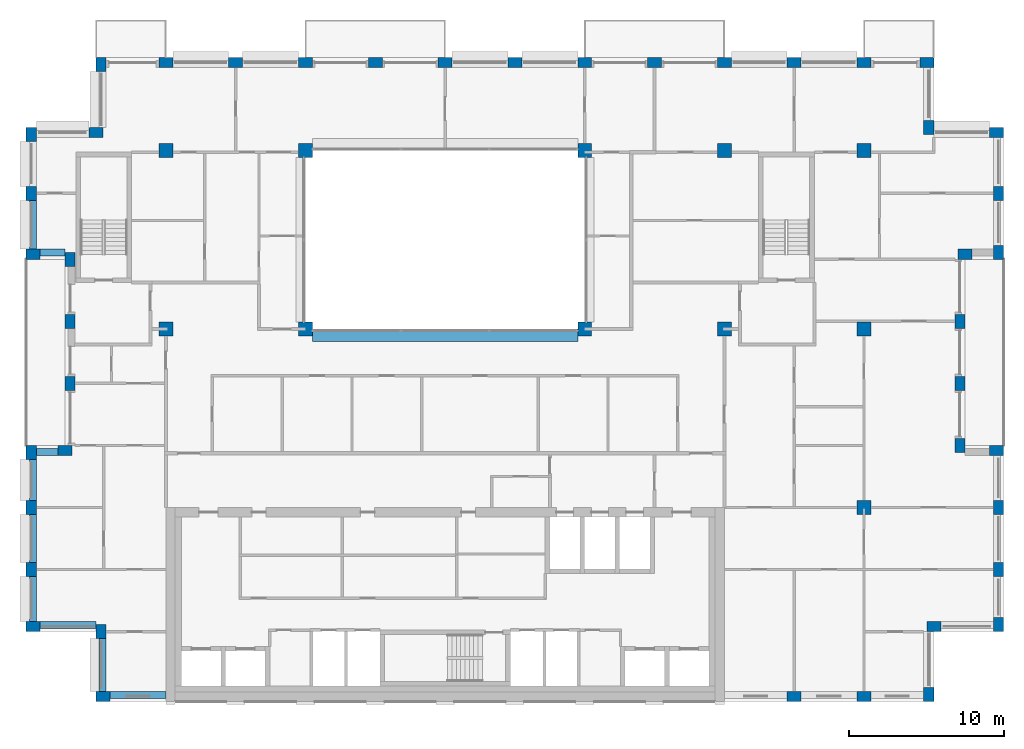
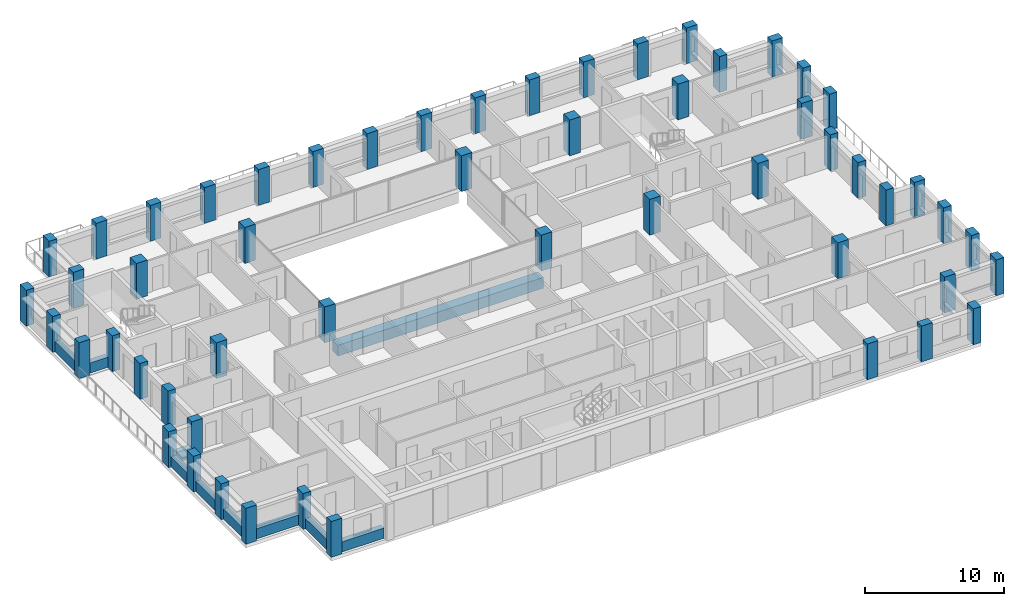
# One storey, part 1 of 15: 54 columns, 10 beams.
"""IFC4 building model written with IfcOpenShell, lengths in metres."""

from ifc_helpers import new_model, si_unit, direction, frame, origin, origin_2d, place, context, subcontext, project, spatial, rectangle, extrude, material, material_profile, profile_set, type_object, element, save


model = new_model("IFC4")

# Units and contexts
model_context = context("Model", 3, precision=1e-05, world=origin(), true_north=direction((0.0, 1.0)))
body_context = subcontext(model_context, "Body", "Model", "MODEL_VIEW")
ifc_project = project(units=[si_unit("LENGTHUNIT", "METRE"), si_unit("AREAUNIT", "SQUARE_METRE"), si_unit("VOLUMEUNIT", "CUBIC_METRE"), si_unit("PLANEANGLEUNIT", "RADIAN"), si_unit("MASSUNIT", "GRAM", prefix="KILO")], contexts=[model_context])

# Site, building, storey
site_placement = place(None, origin())
site = spatial("IfcSite", under=ifc_project, at=site_placement, CompositionType="ELEMENT")
building_placement = place(site_placement, origin())
building = spatial("IfcBuilding", under=site, at=building_placement, Name="Brigalow Station Residences", CompositionType="ELEMENT")
storey_placement = place(building_placement, frame((0.0, 0.0, 232.64990234375)))
storey = spatial("IfcBuildingStorey", under=building, at=storey_placement, Name="L67", CompositionType="ELEMENT", Elevation=232.64990234375)

# Columns
ifc_material_1 = material(Name="Concrete C50", Category="concrete")
ifc_material_profile_1 = material_profile(ifc_material_1, rectangle(XDim=0.89990234375, YDim=0.89990234375, at=origin_2d()), Name="RC900x900")
ifc_profile_set_1 = profile_set([ifc_material_profile_1], Name="Concrete C50")
column_type_1 = type_object("IfcColumnType", Name="COLUMN 900x900 C50", PredefinedType="COLUMN", material=ifc_profile_set_1)
for number, where, z_axis, x_axis, name in (
    (1, (18.0, 24.0, 0.0), (0.0, 0.0, 1.0), (1.0, 0.0, 0.0), "COLUMN C2 L67"),
    (2, (27.0, 24.0, 0.0), (0.0, 0.0, 1.0), (1.0, 0.0, 0.0), "COLUMN C3 L67"),
    (3, (45.0, 24.0, 0.0), (0.0, 0.0, 1.0), (1.0, 0.0, 0.0), "COLUMN C5 L67"),
    (4, (54.0, 24.0, 0.0), (0.0, 0.0, 1.0), (1.0, 0.0, 0.0), "COLUMN C6 L67"),
    (5, (63.0, 24.0, 0.0), (0.0, 0.0, 1.0), (1.0, 0.0, 0.0), "COLUMN C7 L67"),
    (6, (18.0, 35.5, 0.0), (0.0, 0.0, 1.0), (1.0, 0.0, 0.0), "COLUMN D2 L67"),
    (7, (27.0, 35.5, 0.0), (0.0, 0.0, 1.0), (1.0, 0.0, 0.0), "COLUMN D3 L67"),
    (8, (45.0, 35.5, 0.0), (0.0, 0.0, 1.0), (1.0, 0.0, 0.0), "COLUMN D5 L67"),
    (9, (54.0, 35.5, 0.0), (0.0, 0.0, 1.0), (1.0, 0.0, 0.0), "COLUMN D6 L67"),
    (10, (63.0, 35.5, 0.0), (0.0, 0.0, 1.0), (1.0, 0.0, 0.0), "COLUMN D7 L67"),
    (11, (63.0, 12.5, 0.0), (0.0, 0.0, 1.0), (1.0, 0.0, 0.0), "COLUMN B7 L67"),
):
    element("IfcColumn", number, at=place(storey_placement, frame(where, z_axis=z_axis, x_axis=x_axis)), inside=storey, type_object=column_type_1, Name=name, PredefinedType="COLUMN", context=body_context, shape_type="SweptSolid", body=[
        extrude(rectangle(XDim=0.89990234375, YDim=0.89990234375, at=origin_2d()), origin(), (0.0, 0.0, 1.0), 3.150146484375),
    ])
ifc_material_2 = material(Name="Concrete C50", Category="concrete")
ifc_material_profile_2 = material_profile(ifc_material_2, rectangle(XDim=0.89990234375, YDim=0.64990234375, at=origin_2d()), Name="RC900x650")
ifc_profile_set_2 = profile_set([ifc_material_profile_2], Name="Concrete C50")
column_type_2 = type_object("IfcColumnType", Name="PIER 900x650 C50", PredefinedType="USERDEFINED", material=ifc_profile_set_2)
for number, where, z_axis, x_axis, name in (
    (12, (13.949951171875, 0.324951171875, 0.0), (0.0, 0.0, 1.0), (1.0, 0.0, 0.0), "PIER S-1 L67"),
    (13, (58.5, 0.324951171875, 0.0), (0.0, 0.0, 1.0), (1.0, 0.0, 0.0), "PIER S-11 L67"),
    (14, (63.0, 0.324951171875, 0.0), (0.0, 0.0, 1.0), (1.0, 0.0, 0.0), "PIER S-12 L67"),
    (15, (67.175048828125, 0.449951171875, 0.0), (0.0, 0.0, 1.0), (0.0, 1.0, 0.0), "PIER SE1-1 L67"),
    (16, (67.5, 4.824951171875, 0.0), (0.0, 0.0, 1.0), (1.0, 0.0, 0.0), "PIER SE2-1 L67"),
    (17, (71.675048828125, 4.949951171875, 0.0), (0.0, 0.0, 1.0), (0.0, 1.0, 0.0), "PIER E1-1 L67"),
    (18, (71.675048828125, 8.5, 0.0), (0.0, 0.0, 1.0), (0.0, 1.0, 0.0), "PIER E1-2 L67"),
    (19, (71.675048828125, 12.5, 0.0), (0.0, 0.0, 1.0), (0.0, 1.0, 0.0), "PIER E1-3 L67"),
    (20, (71.550048828125, 16.175048828125, 0.0), (0.0, 0.0, 1.0), (-1.0, 0.0, 0.0), "PIER EL1-1 L67"),
    (21, (69.175048828125, 16.5, 0.0), (0.0, 0.0, 1.0), (0.0, 1.0, 0.0), "PIER EL2-1 L67"),
    (22, (69.175048828125, 20.5, 0.0), (0.0, 0.0, 1.0), (0.0, 1.0, 0.0), "PIER EL2-2 L67"),
    (23, (69.175048828125, 24.5, 0.0), (0.0, 0.0, 1.0), (0.0, 1.0, 0.0), "PIER EL2-3 L67"),
    (24, (69.5, 28.824951171875, 0.0), (0.0, 0.0, 1.0), (1.0, 0.0, 0.0), "PIER EL3-1 L67"),
    (25, (71.675048828125, 28.949951171875, 0.0), (0.0, 0.0, 1.0), (0.0, 1.0, 0.0), "PIER E2-1 L67"),
    (26, (71.675048828125, 32.75, 0.0), (0.0, 0.0, 1.0), (0.0, 1.0, 0.0), "PIER E2-2 L67"),
    (27, (71.550048828125, 36.675048828125, 0.0), (0.0, 0.0, 1.0), (-1.0, 0.0, 0.0), "PIER NE1-1 L67"),
    (28, (67.175048828125, 37.0, 0.0), (0.0, 0.0, 1.0), (0.0, 1.0, 0.0), "PIER NE2-1 L67"),
    (29, (67.050048828125, 41.175048828125, 0.0), (0.0, 0.0, 1.0), (-1.0, 0.0, 0.0), "PIER N-1 L67"),
    (30, (63.0, 41.175048828125, 0.0), (0.0, 0.0, 1.0), (-1.0, 0.0, 0.0), "PIER N-2 L67"),
    (31, (58.5, 41.175048828125, 0.0), (0.0, 0.0, 1.0), (-1.0, 0.0, 0.0), "PIER N-3 L67"),
    (32, (54.0, 41.175048828125, 0.0), (0.0, 0.0, 1.0), (-1.0, 0.0, 0.0), "PIER N-4 L67"),
    (33, (49.5, 41.175048828125, 0.0), (0.0, 0.0, 1.0), (-1.0, 0.0, 0.0), "PIER N-5 L67"),
    (34, (45.0, 41.175048828125, 0.0), (0.0, 0.0, 1.0), (-1.0, 0.0, 0.0), "PIER N-6 L67"),
    (35, (40.5, 41.175048828125, 0.0), (0.0, 0.0, 1.0), (-1.0, 0.0, 0.0), "PIER N-7 L67"),
    (36, (36.0, 41.175048828125, 0.0), (0.0, 0.0, 1.0), (-1.0, 0.0, 0.0), "PIER N-8 L67"),
    (37, (31.5, 41.175048828125, 0.0), (0.0, 0.0, 1.0), (-1.0, 0.0, 0.0), "PIER N-9 L67"),
    (38, (27.0, 41.175048828125, 0.0), (0.0, 0.0, 1.0), (-1.0, 0.0, 0.0), "PIER N-10 L67"),
    (39, (22.5, 41.175048828125, 0.0), (0.0, 0.0, 1.0), (-1.0, 0.0, 0.0), "PIER N-11 L67"),
    (40, (18.0, 41.175048828125, 0.0), (0.0, 0.0, 1.0), (-1.0, 0.0, 0.0), "PIER N-12 L67"),
    (41, (13.824951171875, 41.050048828125, 0.0), (0.0, 0.0, 1.0), (0.0, -1.0, 0.0), "PIER NW1-1 L67"),
    (42, (13.5, 36.675048828125, 0.0), (0.0, 0.0, 1.0), (-1.0, 0.0, 0.0), "PIER NW2-1 L67"),
    (43, (9.324951171875, 36.550048828125, 0.0), (0.0, 0.0, 1.0), (0.0, -1.0, 0.0), "PIER W2-1 L67"),
    (44, (9.324951171875, 32.75, 0.0), (0.0, 0.0, 1.0), (0.0, -1.0, 0.0), "PIER W2-2 L67"),
    (45, (9.449951171875, 28.824951171875, 0.0), (0.0, 0.0, 1.0), (1.0, 0.0, 0.0), "PIER WL1-1 L67"),
    (46, (11.824951171875, 28.5, 0.0), (0.0, 0.0, 1.0), (0.0, -1.0, 0.0), "PIER WL2-1 L67"),
    (47, (11.824951171875, 24.5, 0.0), (0.0, 0.0, 1.0), (0.0, -1.0, 0.0), "PIER WL2-2 L67"),
    (48, (11.824951171875, 20.5, 0.0), (0.0, 0.0, 1.0), (0.0, -1.0, 0.0), "PIER WL2-3 L67"),
    (49, (11.5, 16.175048828125, 0.0), (0.0, 0.0, 1.0), (-1.0, 0.0, 0.0), "PIER WL3-1 L67"),
    (50, (9.324951171875, 16.050048828125, 0.0), (0.0, 0.0, 1.0), (0.0, -1.0, 0.0), "PIER W1-1 L67"),
    (51, (9.324951171875, 12.5, 0.0), (0.0, 0.0, 1.0), (0.0, -1.0, 0.0), "PIER W1-2 L67"),
    (52, (9.324951171875, 8.5, 0.0), (0.0, 0.0, 1.0), (0.0, -1.0, 0.0), "PIER W1-3 L67"),
    (53, (9.449951171875, 4.824951171875, 0.0), (0.0, 0.0, 1.0), (1.0, 0.0, 0.0), "PIER SW1-1 L67"),
    (54, (13.824951171875, 4.5, 0.0), (0.0, 0.0, 1.0), (0.0, -1.0, 0.0), "PIER SW2-1 L67"),
):
    element("IfcColumn", number, at=place(storey_placement, frame(where, z_axis=z_axis, x_axis=x_axis)), inside=storey, type_object=column_type_2, Name=name, ObjectType="PIER", PredefinedType="USERDEFINED", context=body_context, shape_type="SweptSolid", body=[
        extrude(rectangle(XDim=0.89990234375, YDim=0.64990234375, at=origin_2d()), origin(), (0.0, 0.0, 1.0), 3.150146484375),
    ])

# Beams
ifc_material_3 = material(Name="Concrete C65", Category="concrete")
ifc_material_profile_3 = material_profile(ifc_material_3, rectangle(XDim=0.800048828125, YDim=0.949951171875, at=origin_2d()), Name="RC800x950")
ifc_profile_set_3 = profile_set([ifc_material_profile_3], Name="Concrete C65")
beam_type_1 = type_object("IfcBeamType", Name="ATRIUM EDGE GIRDER OVER 13.5 M SPAN 800x950 C65", PredefinedType="BEAM", material=ifc_profile_set_3)
beam_1_placement = place(storey_placement, frame((27.449951171875, 23.60009765625, -0.794921875), z_axis=(1.0, 0.0, 0.0), x_axis=(0.0, 1.0, 0.0)))
element("IfcBeam", 55, at=beam_1_placement, inside=storey, type_object=beam_type_1, Name="ATRIUM EDGE GIRDER C L67", PredefinedType="BEAM", context=body_context, shape_type="SweptSolid", body=[
    extrude(rectangle(XDim=0.800048828125, YDim=0.949951171875, at=origin_2d()), origin(), (0.0, 0.0, 1.0), 17.10009765625),
])
ifc_material_4 = material(Name="Concrete C50", Category="concrete")
ifc_material_profile_4 = material_profile(ifc_material_4, rectangle(XDim=0.449951171875, YDim=0.89990234375, at=origin_2d()), Name="RC450x900")
ifc_profile_set_4 = profile_set([ifc_material_profile_4], Name="Concrete C50")
beam_type_2 = type_object("IfcBeamType", Name="SPANDREL BEAM 450x900 C50", PredefinedType="SPANDREL", material=ifc_profile_set_4)
beam_2_placement = place(storey_placement, frame((14.39990234375, 0.425048828125, 0.4501953125), z_axis=(1.0, 0.0, 0.0), x_axis=(0.0, 1.0, 0.0)))
element("IfcBeam", 56, at=beam_2_placement, inside=storey, type_object=beam_type_2, Name="L67/spandrel/W-L67-1", PredefinedType="SPANDREL", context=body_context, shape_type="SweptSolid", body=[
    extrude(rectangle(XDim=0.449951171875, YDim=0.89990234375, at=origin_2d()), origin(), (0.0, 0.0, 1.0), 3.60009765625),
])
beam_3_placement = place(storey_placement, frame((9.425048828125, 32.300048828125, 0.4501953125), z_axis=(0.0, -1.0, 0.0), x_axis=(1.0, 0.0, 0.0)))
element("IfcBeam", 57, at=beam_3_placement, inside=storey, type_object=beam_type_2, Name="L67/spandrel/W-L67-35", PredefinedType="SPANDREL", context=body_context, shape_type="SweptSolid", body=[
    extrude(rectangle(XDim=0.449951171875, YDim=0.89990234375, at=origin_2d()), origin(), (0.0, 0.0, 1.0), 3.150146484375),
])
beam_4_placement = place(storey_placement, frame((9.89990234375, 28.925048828125, 0.4501953125), z_axis=(1.0, 0.0, 0.0), x_axis=(0.0, 1.0, 0.0)))
element("IfcBeam", 58, at=beam_4_placement, inside=storey, type_object=beam_type_2, Name="L67/spandrel/W-L67-36", PredefinedType="SPANDREL", context=body_context, shape_type="SweptSolid", body=[
    extrude(rectangle(XDim=0.449951171875, YDim=0.89990234375, at=origin_2d()), origin(), (0.0, 0.0, 1.0), 1.60009765625),
])
beam_5_placement = place(storey_placement, frame((11.050048828125, 16.074951171875, 0.4501953125), z_axis=(-1.0, 0.0, 0.0), x_axis=(0.0, -1.0, 0.0)))
element("IfcBeam", 59, at=beam_5_placement, inside=storey, type_object=beam_type_2, Name="L67/spandrel/W-L67-40", PredefinedType="SPANDREL", context=body_context, shape_type="SweptSolid", body=[
    extrude(rectangle(XDim=0.449951171875, YDim=0.89990234375, at=origin_2d()), origin(), (0.0, 0.0, 1.0), 1.400146484375),
])
beam_6_placement = place(storey_placement, frame((9.425048828125, 15.60009765625, 0.4501953125), z_axis=(0.0, -1.0, 0.0), x_axis=(1.0, 0.0, 0.0)))
element("IfcBeam", 60, at=beam_6_placement, inside=storey, type_object=beam_type_2, Name="L67/spandrel/W-L67-41", PredefinedType="SPANDREL", context=body_context, shape_type="SweptSolid", body=[
    extrude(rectangle(XDim=0.449951171875, YDim=0.89990234375, at=origin_2d()), origin(), (0.0, 0.0, 1.0), 2.650146484375),
])
beam_7_placement = place(storey_placement, frame((9.425048828125, 12.050048828125, 0.4501953125), z_axis=(0.0, -1.0, 0.0), x_axis=(1.0, 0.0, 0.0)))
element("IfcBeam", 61, at=beam_7_placement, inside=storey, type_object=beam_type_2, Name="L67/spandrel/W-L67-42", PredefinedType="SPANDREL", context=body_context, shape_type="SweptSolid", body=[
    extrude(rectangle(XDim=0.449951171875, YDim=0.89990234375, at=origin_2d()), origin(), (0.0, 0.0, 1.0), 3.10009765625),
])
beam_8_placement = place(storey_placement, frame((9.425048828125, 8.050048828125, 0.4501953125), z_axis=(0.0, -1.0, 0.0), x_axis=(1.0, 0.0, 0.0)))
element("IfcBeam", 62, at=beam_8_placement, inside=storey, type_object=beam_type_2, Name="L67/spandrel/W-L67-43", PredefinedType="SPANDREL", context=body_context, shape_type="SweptSolid", body=[
    extrude(rectangle(XDim=0.449951171875, YDim=0.89990234375, at=origin_2d()), origin(), (0.0, 0.0, 1.0), 2.900146484375),
])
beam_9_placement = place(storey_placement, frame((9.89990234375, 4.925048828125, 0.4501953125), z_axis=(1.0, 0.0, 0.0), x_axis=(0.0, 1.0, 0.0)))
element("IfcBeam", 63, at=beam_9_placement, inside=storey, type_object=beam_type_2, Name="L67/spandrel/W-L67-44", PredefinedType="SPANDREL", context=body_context, shape_type="SweptSolid", body=[
    extrude(rectangle(XDim=0.449951171875, YDim=0.89990234375, at=origin_2d()), origin(), (0.0, 0.0, 1.0), 3.60009765625),
])
beam_10_placement = place(storey_placement, frame((13.925048828125, 4.050048828125, 0.4501953125), z_axis=(0.0, -1.0, 0.0), x_axis=(1.0, 0.0, 0.0)))
element("IfcBeam", 64, at=beam_10_placement, inside=storey, type_object=beam_type_2, Name="L67/spandrel/W-L67-45", PredefinedType="SPANDREL", context=body_context, shape_type="SweptSolid", body=[
    extrude(rectangle(XDim=0.449951171875, YDim=0.89990234375, at=origin_2d()), origin(), (0.0, 0.0, 1.0), 3.400146484375),
])

save(model, "model.ifc")
